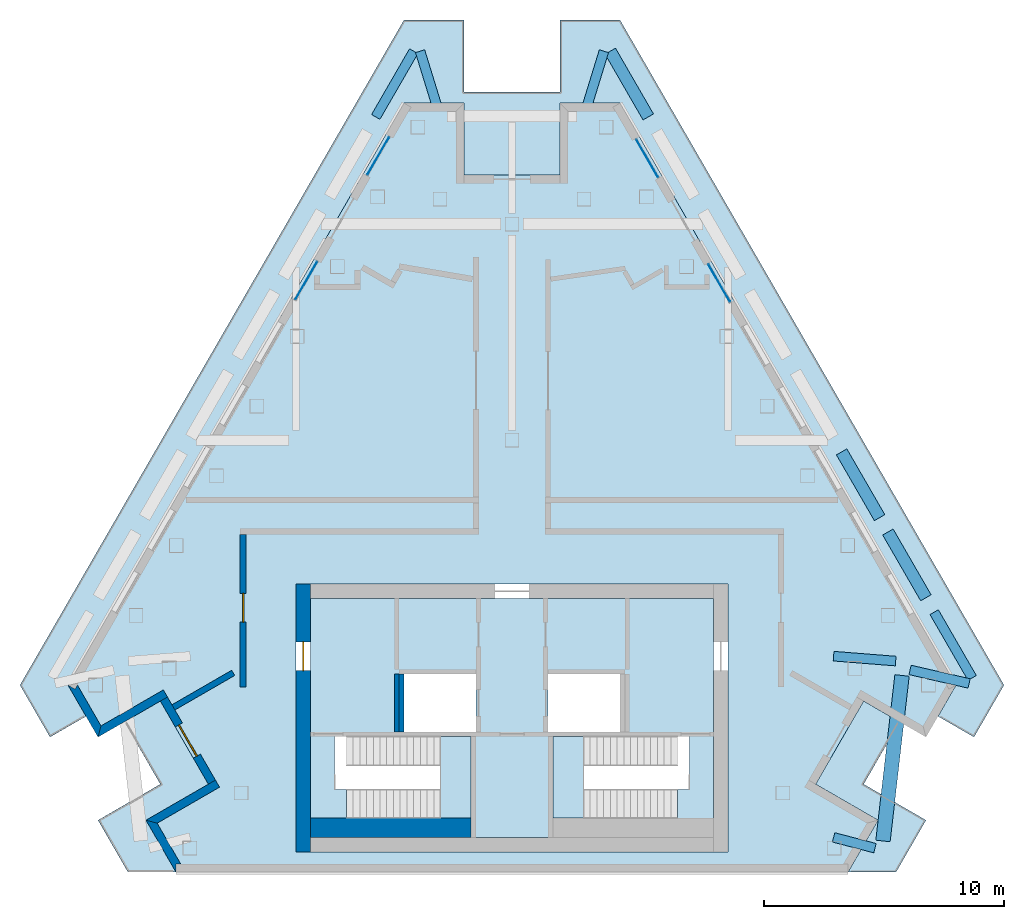
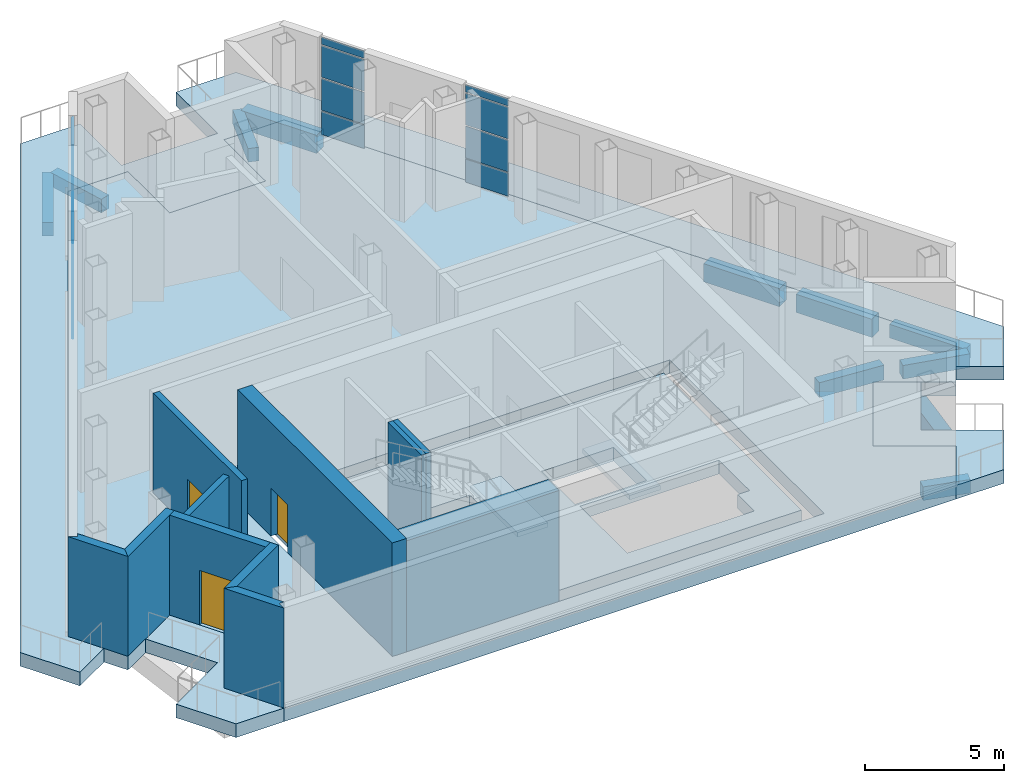
# One storey, part 3 of 7: 16 plates, 11 beams, 11 walls, 7 slabs, 3 doors, 3 openings, 6 elements without a shape of their own.
"""IFC4 building model written with IfcOpenShell, lengths in metres."""

from ifc_helpers import new_model, si_unit, direction, frame, frame_2d, origin, origin_2d, place, context, subcontext, project, spatial, polyline, rectangle, outline, extrude, material, layer, layer_set, material_profile, profile_set, type_object, element, fill, aggregate, save


model = new_model("IFC4")

# Units and contexts
model_context = context("Model", 3, precision=1e-05, world=origin(), true_north=direction((0.0, 1.0)))
body_context = subcontext(model_context, "Body", "Model", "MODEL_VIEW")
ifc_project = project(units=[si_unit("LENGTHUNIT", "METRE"), si_unit("AREAUNIT", "SQUARE_METRE"), si_unit("VOLUMEUNIT", "CUBIC_METRE"), si_unit("PLANEANGLEUNIT", "RADIAN"), si_unit("MASSUNIT", "GRAM", prefix="KILO")], contexts=[model_context])

# Site, building, storey
site_placement = place(None, origin())
site = spatial("IfcSite", under=ifc_project, at=site_placement, CompositionType="ELEMENT")
building_placement = place(site_placement, origin())
building = spatial("IfcBuilding", under=site, at=building_placement, Name="Fogline Exchange Tower", CompositionType="ELEMENT")
storey_placement = place(building_placement, frame((0.0, 0.0, 350.10009765625)))
storey = spatial("IfcBuildingStorey", under=building, at=storey_placement, Name="L79", CompositionType="ELEMENT", Elevation=350.10009765625)

# Beams
ifc_material_1 = material(Name="Concrete C40", Category="concrete")
ifc_material_profile_1 = material_profile(ifc_material_1, rectangle(XDim=0.60009765625, YDim=0.89990234375, at=origin_2d()), Name="RC 600x900")
ifc_profile_set_1 = profile_set([ifc_material_profile_1], Name="Concrete C40")
beam_type_1 = type_object("IfcBeamType", Name="B09", PredefinedType="BEAM", material=ifc_profile_set_1)
beam_1_placement = place(storey_placement, frame((15.457275390625, 1.300048828125, -1.050048828125), z_axis=(0.114387793062, 0.993436174497, 0.0), x_axis=(-0.993436174497, 0.114387793062, 0.0)))
element("IfcBeam", 1, at=beam_1_placement, inside=storey, type_object=beam_type_1, Name="RB005", PredefinedType="BEAM", context=body_context, shape_type="SweptSolid", body=[
    extrude(rectangle(XDim=0.60009765625, YDim=0.89990234375, at=origin_2d()), origin(), (0.0, 0.0, 1.0), 6.94091796875),
])
ifc_material_profile_2 = material_profile(ifc_material_1, rectangle(XDim=0.5, YDim=0.800048828125, at=origin_2d()), Name="RC 500x800")
ifc_profile_set_2 = profile_set([ifc_material_profile_2], Name="Concrete C40")
beam_type_2 = type_object("IfcBeamType", Name="B10", PredefinedType="BEAM", material=ifc_profile_set_2)
beam_2_placement = place(storey_placement, frame((17.244384765625, 11.433349609375, -1.0), z_axis=(-0.500040948879, 0.866001760647, 0.0), x_axis=(-0.866001760647, -0.500040948879, 0.0)))
element("IfcBeam", 2, at=beam_2_placement, inside=storey, type_object=beam_type_2, Name="RB008", PredefinedType="BEAM", context=body_context, shape_type="SweptSolid", body=[
    extrude(rectangle(XDim=0.5, YDim=0.800048828125, at=origin_2d()), origin(), (0.0, 0.0, 1.0), 3.162841796875),
])
for number, where, z_axis, x_axis, name in (
    (3, (15.31640625, 14.7724609375, -1.0), (-0.49998305571, 0.866035186354, 0.0), (-0.866035186354, -0.49998305571, 0.0), "RB009"),
    (4, (5.67724609375, 31.468017578125, -1.0), (-0.49998305571, 0.866035186354, 0.0), (-0.866035186354, -0.49998305571, 0.0), "RB014"),
):
    element("IfcBeam", number, at=place(storey_placement, frame(where, z_axis=z_axis, x_axis=x_axis)), inside=storey, type_object=beam_type_2, Name=name, PredefinedType="BEAM", context=body_context, shape_type="SweptSolid", body=[
        extrude(rectangle(XDim=0.5, YDim=0.800048828125, at=origin_2d()), origin(), (0.0, 0.0, 1.0), 3.16259765625),
    ])
ifc_material_profile_3 = material_profile(ifc_material_1, rectangle(XDim=0.39990234375, YDim=0.60009765625, at=origin_2d()), Name="RC 400x600")
ifc_profile_set_3 = profile_set([ifc_material_profile_3], Name="Concrete C40")
beam_type_3 = type_object("IfcBeamType", Name="B11", PredefinedType="BEAM", material=ifc_profile_set_3)
beam_3_placement = place(storey_placement, frame((13.39990234375, 1.449951171875, -0.900146484375), z_axis=(0.967548805755, -0.252684207029, 0.0), x_axis=(0.252684207029, 0.967548805755, 0.0)))
element("IfcBeam", 5, at=beam_3_placement, inside=storey, type_object=beam_type_3, Name="RB004", PredefinedType="BEAM", context=body_context, shape_type="SweptSolid", body=[
    extrude(rectangle(XDim=0.39990234375, YDim=0.60009765625, at=origin_2d()), origin(), (0.0, 0.0, 1.0), 1.78076171875),
])
beam_4_placement = place(storey_placement, frame((16.5859375, 8.426513671875, -0.900146484375), z_axis=(0.974745483976, -0.223318699327, 0.0), x_axis=(0.223318699327, 0.974745483976, 0.0)))
element("IfcBeam", 6, at=beam_4_placement, inside=storey, type_object=beam_type_3, Name="RB006", PredefinedType="BEAM", context=body_context, shape_type="SweptSolid", body=[
    extrude(rectangle(XDim=0.39990234375, YDim=0.60009765625, at=origin_2d()), origin(), (0.0, 0.0, 1.0), 2.523193359375),
])
beam_5_placement = place(storey_placement, frame((19.172119140625, 8.09423828125, -0.900146484375), z_axis=(-0.49998305571, 0.866035186354, 0.0), x_axis=(-0.866035186354, -0.49998305571, 0.0)))
element("IfcBeam", 7, at=beam_5_placement, inside=storey, type_object=beam_type_3, Name="RB007", PredefinedType="BEAM", context=body_context, shape_type="SweptSolid", body=[
    extrude(rectangle(XDim=0.39990234375, YDim=0.60009765625, at=origin_2d()), origin(), (0.0, 0.0, 1.0), 3.16259765625),
])
for number, where, z_axis, x_axis, name in (
    (8, (3.830322265625, 34.20703125, -0.900146484375), (-0.293915041219, -0.955831548206, 0.0), (0.955831548206, -0.293915041219, 0.0), "RB015"),
    (9, (-3.09228515625, 31.806884765625, -0.900146484375), (-0.293915041219, 0.955831548206, 0.0), (-0.955831548206, -0.293915041219, 0.0), "RB017"),
):
    element("IfcBeam", number, at=place(storey_placement, frame(where, z_axis=z_axis, x_axis=x_axis)), inside=storey, type_object=beam_type_3, Name=name, PredefinedType="BEAM", context=body_context, shape_type="SweptSolid", body=[
        extrude(rectangle(XDim=0.39990234375, YDim=0.60009765625, at=origin_2d()), origin(), (0.0, 0.0, 1.0), 2.510986328125),
    ])
beam_6_placement = place(storey_placement, frame((-4.095947265625, 34.20703125, -0.900146484375), z_axis=(-0.49998305571, -0.866035186354, 0.0), x_axis=(0.866035186354, -0.49998305571, 0.0)))
element("IfcBeam", 10, at=beam_6_placement, inside=storey, type_object=beam_type_3, Name="RB018", PredefinedType="BEAM", context=body_context, shape_type="SweptSolid", body=[
    extrude(rectangle(XDim=0.39990234375, YDim=0.60009765625, at=origin_2d()), origin(), (0.0, 0.0, 1.0), 3.16259765625),
])
ifc_material_profile_4 = material_profile(ifc_material_1, rectangle(XDim=0.39990234375, YDim=0.64990234375, at=origin_2d()), Name="RC 400x650")
ifc_profile_set_4 = profile_set([ifc_material_profile_4], Name="Concrete C40")
beam_type_4 = type_object("IfcBeamType", Name="B13", PredefinedType="BEAM", material=ifc_profile_set_4)
beam_7_placement = place(storey_placement, frame((13.39990234375, 9.0, -0.925048828125), z_axis=(0.996877516498, -0.078963390893, 0.0), x_axis=(0.078963390893, 0.996877516498, 0.0)))
element("IfcBeam", 11, at=beam_7_placement, inside=storey, type_object=beam_type_4, Name="GB002", PredefinedType="BEAM", context=body_context, shape_type="SweptSolid", body=[
    extrude(rectangle(XDim=0.39990234375, YDim=0.64990234375, at=origin_2d()), origin(), (0.0, 0.0, 1.0), 2.593994140625),
])

# Curtain wall, plates
ifc_material_2 = material(Name="Aluminium and glass", Category="aluminium")
curtain_wall_type = type_object("IfcCurtainWallType", Name="CW6", PredefinedType="NOTDEFINED", material=ifc_material_2)
curtain_wall_1_placement = place(storey_placement, origin())
curtain_wall_1 = element("IfcCurtainWall", 12, at=curtain_wall_1_placement, inside=storey, type_object=curtain_wall_type, Name="CW6 L79 E run 1", PredefinedType="NOTDEFINED")
ifc_material_3 = material(Name="Glass", Category="glass")
ifc_layer_1 = layer(ifc_material_3, 0.02587890625)
ifc_layer_set_1 = layer_set([ifc_layer_1], Name="CW6-P")
plate_type = type_object("IfcPlateType", Name="CW6-P", PredefinedType="CURTAIN_PANEL", material=ifc_layer_set_1)
plate_1_placement = place(storey_placement, frame((8.631591796875, 24.546875, 0.054931640625), z_axis=(0.0, 0.0, 1.0), x_axis=(-0.499999514416, 0.866025684137, 0.0)))
plate_1 = element("IfcPlate", 13, at=plate_1_placement, type_object=plate_type, Name="CW6-L79-01 panel 1.1", PredefinedType="CURTAIN_PANEL", context=body_context, shape_type="SweptSolid", body=[
    extrude(rectangle(XDim=1.784912109375, YDim=0.02587890625, at=origin_2d()), origin(), (0.0, 0.0, 1.0), 1.017578125),
])
plate_2_placement = place(storey_placement, frame((8.631591796875, 24.546875, 1.12744140625), z_axis=(0.0, 0.0, 1.0), x_axis=(-0.499999514416, 0.866025684137, 0.0)))
plate_2 = element("IfcPlate", 14, at=plate_2_placement, type_object=plate_type, Name="CW6-L79-01 panel 1.2", PredefinedType="CURTAIN_PANEL", context=body_context, shape_type="SweptSolid", body=[
    extrude(rectangle(XDim=1.784912109375, YDim=0.02587890625, at=origin_2d()), origin(), (0.0, 0.0, 1.0), 1.39501953125),
])
plate_3_placement = place(storey_placement, frame((8.631591796875, 24.546875, 2.577392578125), z_axis=(0.0, 0.0, 1.0), x_axis=(-0.499999514416, 0.866025684137, 0.0)))
plate_3 = element("IfcPlate", 15, at=plate_3_placement, type_object=plate_type, Name="CW6-L79-01 panel 1.3", PredefinedType="CURTAIN_PANEL", context=body_context, shape_type="SweptSolid", body=[
    extrude(rectangle(XDim=1.784912109375, YDim=0.02587890625, at=origin_2d()), origin(), (0.0, 0.0, 1.0), 1.39501953125),
])
plate_4_placement = place(storey_placement, frame((8.631591796875, 24.546875, 4.02734375), z_axis=(0.0, 0.0, 1.0), x_axis=(-0.499999514416, 0.866025684137, 0.0)))
plate_4 = element("IfcPlate", 16, at=plate_4_placement, type_object=plate_type, Name="CW6-L79-01 panel 1.4", PredefinedType="CURTAIN_PANEL", context=body_context, shape_type="SweptSolid", body=[
    extrude(rectangle(XDim=1.784912109375, YDim=0.02587890625, at=origin_2d()), origin(), (0.0, 0.0, 1.0), 0.3173828125),
])
aggregate(curtain_wall_1, [plate_1, plate_2, plate_3, plate_4])

curtain_wall_2_placement = place(storey_placement, origin())
curtain_wall_2 = element("IfcCurtainWall", 17, at=curtain_wall_2_placement, inside=storey, type_object=curtain_wall_type, Name="CW6 L79 E run 2", PredefinedType="NOTDEFINED")
plate_5_placement = place(storey_placement, frame((5.631591796875, 29.7431640625, 0.054931640625), z_axis=(0.0, 0.0, 1.0), x_axis=(-0.499999514416, 0.866025684137, 0.0)))
plate_5 = element("IfcPlate", 18, at=plate_5_placement, type_object=plate_type, Name="CW6-L79-02 panel 1.1", PredefinedType="CURTAIN_PANEL", context=body_context, shape_type="SweptSolid", body=[
    extrude(rectangle(XDim=1.784912109375, YDim=0.02587890625, at=origin_2d()), origin(), (0.0, 0.0, 1.0), 1.017578125),
])
plate_6_placement = place(storey_placement, frame((5.631591796875, 29.7431640625, 1.12744140625), z_axis=(0.0, 0.0, 1.0), x_axis=(-0.499999514416, 0.866025684137, 0.0)))
plate_6 = element("IfcPlate", 19, at=plate_6_placement, type_object=plate_type, Name="CW6-L79-02 panel 1.2", PredefinedType="CURTAIN_PANEL", context=body_context, shape_type="SweptSolid", body=[
    extrude(rectangle(XDim=1.784912109375, YDim=0.02587890625, at=origin_2d()), origin(), (0.0, 0.0, 1.0), 1.39501953125),
])
plate_7_placement = place(storey_placement, frame((5.631591796875, 29.7431640625, 2.577392578125), z_axis=(0.0, 0.0, 1.0), x_axis=(-0.499999514416, 0.866025684137, 0.0)))
plate_7 = element("IfcPlate", 20, at=plate_7_placement, type_object=plate_type, Name="CW6-L79-02 panel 1.3", PredefinedType="CURTAIN_PANEL", context=body_context, shape_type="SweptSolid", body=[
    extrude(rectangle(XDim=1.784912109375, YDim=0.02587890625, at=origin_2d()), origin(), (0.0, 0.0, 1.0), 1.39501953125),
])
plate_8_placement = place(storey_placement, frame((5.631591796875, 29.7431640625, 4.02734375), z_axis=(0.0, 0.0, 1.0), x_axis=(-0.499999514416, 0.866025684137, 0.0)))
plate_8 = element("IfcPlate", 21, at=plate_8_placement, type_object=plate_type, Name="CW6-L79-02 panel 1.4", PredefinedType="CURTAIN_PANEL", context=body_context, shape_type="SweptSolid", body=[
    extrude(rectangle(XDim=1.784912109375, YDim=0.02587890625, at=origin_2d()), origin(), (0.0, 0.0, 1.0), 0.3173828125),
])
aggregate(curtain_wall_2, [plate_5, plate_6, plate_7, plate_8])

curtain_wall_3_placement = place(storey_placement, origin())
curtain_wall_3 = element("IfcCurtainWall", 22, at=curtain_wall_3_placement, inside=storey, type_object=curtain_wall_type, Name="CW6 L79 W run 1", PredefinedType="NOTDEFINED")
plate_9_placement = place(storey_placement, frame((-5.573974609375, 29.8427734375, 0.054931640625), z_axis=(0.0, 0.0, 1.0), x_axis=(-0.499999514416, -0.866025684137, 0.0)))
plate_9 = element("IfcPlate", 23, at=plate_9_placement, type_object=plate_type, Name="CW6-L79-03 panel 1.1", PredefinedType="CURTAIN_PANEL", context=body_context, shape_type="SweptSolid", body=[
    extrude(rectangle(XDim=1.784912109375, YDim=0.02587890625, at=origin_2d()), origin(), (0.0, 0.0, 1.0), 1.017578125),
])
plate_10_placement = place(storey_placement, frame((-5.573974609375, 29.8427734375, 1.12744140625), z_axis=(0.0, 0.0, 1.0), x_axis=(-0.499999514416, -0.866025684137, 0.0)))
plate_10 = element("IfcPlate", 24, at=plate_10_placement, type_object=plate_type, Name="CW6-L79-03 panel 1.2", PredefinedType="CURTAIN_PANEL", context=body_context, shape_type="SweptSolid", body=[
    extrude(rectangle(XDim=1.784912109375, YDim=0.02587890625, at=origin_2d()), origin(), (0.0, 0.0, 1.0), 1.39501953125),
])
plate_11_placement = place(storey_placement, frame((-5.573974609375, 29.8427734375, 2.577392578125), z_axis=(0.0, 0.0, 1.0), x_axis=(-0.499999514416, -0.866025684137, 0.0)))
plate_11 = element("IfcPlate", 25, at=plate_11_placement, type_object=plate_type, Name="CW6-L79-03 panel 1.3", PredefinedType="CURTAIN_PANEL", context=body_context, shape_type="SweptSolid", body=[
    extrude(rectangle(XDim=1.784912109375, YDim=0.02587890625, at=origin_2d()), origin(), (0.0, 0.0, 1.0), 1.39501953125),
])
plate_12_placement = place(storey_placement, frame((-5.573974609375, 29.8427734375, 4.02734375), z_axis=(0.0, 0.0, 1.0), x_axis=(-0.499999514416, -0.866025684137, 0.0)))
plate_12 = element("IfcPlate", 26, at=plate_12_placement, type_object=plate_type, Name="CW6-L79-03 panel 1.4", PredefinedType="CURTAIN_PANEL", context=body_context, shape_type="SweptSolid", body=[
    extrude(rectangle(XDim=1.784912109375, YDim=0.02587890625, at=origin_2d()), origin(), (0.0, 0.0, 1.0), 0.3173828125),
])
aggregate(curtain_wall_3, [plate_9, plate_10, plate_11, plate_12])

curtain_wall_4_placement = place(storey_placement, origin())
curtain_wall_4 = element("IfcCurtainWall", 27, at=curtain_wall_4_placement, inside=storey, type_object=curtain_wall_type, Name="CW6 L79 W run 2", PredefinedType="NOTDEFINED")
plate_13_placement = place(storey_placement, frame((-8.573974609375, 24.646484375, 0.054931640625), z_axis=(0.0, 0.0, 1.0), x_axis=(-0.499999514416, -0.866025684137, 0.0)))
plate_13 = element("IfcPlate", 28, at=plate_13_placement, type_object=plate_type, Name="CW6-L79-04 panel 1.1", PredefinedType="CURTAIN_PANEL", context=body_context, shape_type="SweptSolid", body=[
    extrude(rectangle(XDim=1.784912109375, YDim=0.02587890625, at=origin_2d()), origin(), (0.0, 0.0, 1.0), 1.017578125),
])
plate_14_placement = place(storey_placement, frame((-8.573974609375, 24.646484375, 1.12744140625), z_axis=(0.0, 0.0, 1.0), x_axis=(-0.499999514416, -0.866025684137, 0.0)))
plate_14 = element("IfcPlate", 29, at=plate_14_placement, type_object=plate_type, Name="CW6-L79-04 panel 1.2", PredefinedType="CURTAIN_PANEL", context=body_context, shape_type="SweptSolid", body=[
    extrude(rectangle(XDim=1.784912109375, YDim=0.02587890625, at=origin_2d()), origin(), (0.0, 0.0, 1.0), 1.39501953125),
])
plate_15_placement = place(storey_placement, frame((-8.573974609375, 24.646484375, 2.577392578125), z_axis=(0.0, 0.0, 1.0), x_axis=(-0.499999514416, -0.866025684137, 0.0)))
plate_15 = element("IfcPlate", 30, at=plate_15_placement, type_object=plate_type, Name="CW6-L79-04 panel 1.3", PredefinedType="CURTAIN_PANEL", context=body_context, shape_type="SweptSolid", body=[
    extrude(rectangle(XDim=1.784912109375, YDim=0.02587890625, at=origin_2d()), origin(), (0.0, 0.0, 1.0), 1.39501953125),
])
plate_16_placement = place(storey_placement, frame((-8.573974609375, 24.646484375, 4.02734375), z_axis=(0.0, 0.0, 1.0), x_axis=(-0.499999514416, -0.866025684137, 0.0)))
plate_16 = element("IfcPlate", 31, at=plate_16_placement, type_object=plate_type, Name="CW6-L79-04 panel 1.4", PredefinedType="CURTAIN_PANEL", context=body_context, shape_type="SweptSolid", body=[
    extrude(rectangle(XDim=1.784912109375, YDim=0.02587890625, at=origin_2d()), origin(), (0.0, 0.0, 1.0), 0.3173828125),
])
aggregate(curtain_wall_4, [plate_13, plate_14, plate_15, plate_16])

# Slabs
ifc_layer_2 = layer(ifc_material_1, 0.60009765625)
ifc_layer_set_2 = layer_set([ifc_layer_2], Name="S09")
slab_type_1 = type_object("IfcSlabType", Name="S09", PredefinedType="FLOOR", material=ifc_layer_set_2)
slab_1_placement = place(storey_placement, frame((0.0, 0.0, -0.60009765625)))
element("IfcSlab", 32, at=slab_1_placement, inside=storey, type_object=slab_type_1, Name="TRANSFER SLAB L79", PredefinedType="FLOOR", context=body_context, shape_type="SweptSolid", body=[
    extrude(outline(polyline([(-4.5, 32.04296875), (-18.5, 7.794189453125), (-17.25, 5.629150390625), (-14.65185546875, 7.129150390625), (-12.65185546875, 3.6650390625), (-15.25, 2.1650390625), (-14.0, 0.0), (14.0, 0.0), (15.25, 2.1650390625), (12.65185546875, 3.6650390625), (14.65185546875, 7.129150390625), (17.25, 5.629150390625), (18.5, 7.794189453125), (4.5, 32.04296875), (2.0, 32.04296875), (2.0, 29.04296875), (-2.0, 29.04296875), (-2.0, 32.04296875), (-4.5, 32.04296875)]), holes=[polyline([(9.0, 0.85009765625), (-9.0, 0.85009765625), (-9.0, 12.0), (9.0, 12.0), (9.0, 0.85009765625)])]), origin(), (0.0, 0.0, 1.0), 0.60009765625),
])
slab_2_placement = place(storey_placement, frame((0.0, 0.0, -0.60009765625)))
element("IfcSlab", 33, at=slab_2_placement, inside=storey, type_object=slab_type_1, Name="Core floor slab", PredefinedType="FLOOR", context=body_context, shape_type="SweptSolid", body=[
    extrude(outline(polyline([(-8.39990234375, 11.39990234375), (8.39990234375, 11.39990234375), (8.39990234375, 1.449951171875), (-8.39990234375, 1.449951171875), (-8.39990234375, 11.39990234375)]), holes=[polyline([(-7.389892578125, 5.64990234375), (-7.389892578125, 3.449951171875), (-6.889892578125, 3.449951171875), (-6.889892578125, 2.25), (-1.60009765625, 2.25), (-1.60009765625, 5.64990234375), (-7.389892578125, 5.64990234375)]), polyline([(1.60009765625, 5.64990234375), (1.60009765625, 2.25), (6.889892578125, 2.25), (6.889892578125, 3.449951171875), (7.389892578125, 3.449951171875), (7.389892578125, 5.64990234375), (1.60009765625, 5.64990234375)]), polyline([(-4.5, 8.25), (-4.5, 5.85009765625), (-1.5, 5.85009765625), (-1.5, 8.25), (-4.5, 8.25)]), polyline([(1.5, 8.25), (1.5, 5.85009765625), (4.5, 5.85009765625), (4.5, 8.25), (1.5, 8.25)])]), origin(), (0.0, 0.0, 1.0), 0.60009765625),
])
ifc_layer_3 = layer(ifc_material_1, 0.60009765625)
ifc_layer_set_3 = layer_set([ifc_layer_3], Name="S10")
slab_type_2 = type_object("IfcSlabType", Name="S10", PredefinedType="FLOOR", material=ifc_layer_set_3)
slab_3_placement = place(storey_placement, frame((0.0, 0.0, -0.60009765625)))
element("IfcSlab", 34, at=slab_3_placement, inside=storey, type_object=slab_type_2, Name="SLAB L79 TERRACE", PredefinedType="FLOOR", context=body_context, shape_type="SweptSolid", body=[
    extrude(outline(polyline([(-19.25, 5.629150390625), (-17.75, 6.4951171875), (-18.5, 7.794189453125), (-4.5, 32.04296875), (-2.0, 32.04296875), (-2.0, 29.04296875), (2.0, 29.04296875), (2.0, 32.04296875), (4.5, 32.04296875), (18.5, 7.794189453125), (17.75, 6.4951171875), (19.25, 5.629150390625), (20.5, 7.794189453125), (4.5, 35.507080078125), (2.0, 35.507080078125), (2.0, 32.507080078125), (-2.0, 32.507080078125), (-2.0, 35.507080078125), (-4.5, 35.507080078125), (-20.5, 7.794189453125), (-19.25, 5.629150390625)])), origin(), (0.0, 0.0, 1.0), 0.60009765625),
])
slab_4_placement = place(storey_placement, frame((0.0, 0.0, -0.60009765625)))
element("IfcSlab", 35, at=slab_4_placement, inside=storey, type_object=slab_type_2, Name="SLAB L79 TERRACE", PredefinedType="FLOOR", context=body_context, shape_type="SweptSolid", body=[
    extrude(outline(polyline([(14.65185546875, 3.6650390625), (16.15185546875, 6.26318359375), (14.65185546875, 7.129150390625), (12.65185546875, 3.6650390625), (15.25, 2.1650390625), (14.0, 0.0), (16.0, 0.0), (17.25, 2.1650390625), (14.65185546875, 3.6650390625)])), origin(), (0.0, 0.0, 1.0), 0.60009765625),
])
slab_5_placement = place(storey_placement, frame((0.0, 0.0, -0.60009765625)))
element("IfcSlab", 36, at=slab_5_placement, inside=storey, type_object=slab_type_2, Name="SLAB L79 TERRACE", PredefinedType="FLOOR", context=body_context, shape_type="SweptSolid", body=[
    extrude(outline(polyline([(-16.0, 0.0), (-14.0, 0.0), (-15.25, 2.1650390625), (-12.65185546875, 3.6650390625), (-14.65185546875, 7.129150390625), (-16.15185546875, 6.26318359375), (-14.65185546875, 3.6650390625), (-17.25, 2.1650390625), (-16.0, 0.0)])), origin(), (0.0, 0.0, 1.0), 0.60009765625),
])

# Stair, slab
stair_type = type_object("IfcStairType", Name="STR30-1667W1200", PredefinedType="HALF_TURN_STAIR", material=ifc_material_1)
stair_1_placement = place(storey_placement, origin())
stair_1 = element("IfcStair", 37, at=stair_1_placement, inside=storey, type_object=stair_type, Name="Stair CS1", PredefinedType="HALF_TURN_STAIR")
ifc_layer_4 = layer(ifc_material_1, 0.199951171875)
ifc_layer_set_4 = layer_set([ifc_layer_4], Name="SL200")
slab_type_3 = type_object("IfcSlabType", Name="SL200", PredefinedType="LANDING", material=ifc_layer_set_4)
slab_6_placement = place(storey_placement, frame((0.0, 0.0, 2.2998046875)))
slab_6 = element("IfcSlab", 38, at=slab_6_placement, type_object=slab_type_3, Name="CS1 landing 1", PredefinedType="LANDING", context=body_context, shape_type="SweptSolid", body=[
    extrude(outline(polyline([(-2.97998046875, 2.25), (-1.699951171875, 2.25), (-1.699951171875, 5.64990234375), (-2.97998046875, 5.64990234375), (-2.97998046875, 2.25)])), origin(), (0.0, 0.0, 1.0), 0.2001953125),
])
aggregate(stair_1, [slab_6])

stair_2_placement = place(storey_placement, origin())
stair_2 = element("IfcStair", 39, at=stair_2_placement, inside=storey, type_object=stair_type, Name="Stair CS2", PredefinedType="HALF_TURN_STAIR")
slab_7_placement = place(storey_placement, frame((0.0, 0.0, 2.2998046875)))
slab_7 = element("IfcSlab", 40, at=slab_7_placement, type_object=slab_type_3, Name="CS2 landing 1", PredefinedType="LANDING", context=body_context, shape_type="SweptSolid", body=[
    extrude(outline(polyline([(1.699951171875, 2.25), (2.97998046875, 2.25), (2.97998046875, 5.64990234375), (1.699951171875, 5.64990234375), (1.699951171875, 2.25)])), origin(), (0.0, 0.0, 1.0), 0.2001953125),
])
aggregate(stair_2, [slab_7])

# Walls
ifc_layer_5 = layer(ifc_material_1, 0.199951171875)
ifc_layer_set_5 = layer_set([ifc_layer_5], Name="CW20")
wall_type_1 = type_object("IfcWallType", Name="CW20", PredefinedType="SOLIDWALL", material=ifc_layer_set_5)
for number, where, z_axis, x_axis, name in (
    (41, (-4.60009765625, 5.85009765625, 0.0), (0.0, 0.0, 1.0), (0.0, 1.0, 0.0), "Lift shaft wall"),
    (42, (-4.800048828125, 5.85009765625, 0.0), (0.0, 0.0, 1.0), (0.0, 1.0, 0.0), "Room wall"),
):
    element("IfcWall", number, at=place(storey_placement, frame(where, z_axis=z_axis, x_axis=x_axis)), inside=storey, type_object=wall_type_1, Name=name, PredefinedType="SOLIDWALL", context=body_context, shape_type="SweptSolid", body=[
        extrude(rectangle(XDim=2.39990234375, YDim=0.199951171875, at=frame_2d((1.199951171875, 0.0))), origin(), (0.0, 0.0, 1.0), 4.39990234375),
    ])
ifc_layer_6 = layer(ifc_material_1, 0.800048828125)
ifc_layer_set_6 = layer_set([ifc_layer_6], Name="CW80R")
wall_type_2 = type_object("IfcWallType", Name="CW80R", PredefinedType="SOLIDWALL", material=ifc_layer_set_6)
wall_1_placement = place(storey_placement, frame((-8.39990234375, 1.85009765625, -0.60009765625), z_axis=(0.0, 0.0, 1.0), x_axis=(1.0, 0.0, 0.0)))
element("IfcWall", 43, at=wall_1_placement, inside=storey, type_object=wall_type_2, Name="Stair enclosure wall", PredefinedType="SOLIDWALL", context=body_context, shape_type="SweptSolid", body=[
    extrude(rectangle(XDim=6.699951171875, YDim=0.800048828125, at=frame_2d((3.35009765625, 0.0))), origin(), (0.0, 0.0, 1.0), 5.0),
])
ifc_material_4 = material(Name="Brick masonry", Category="masonry")
ifc_layer_7 = layer(ifc_material_4, 0.340087890625)
ifc_layer_set_7 = layer_set([ifc_layer_7], Name="FW1")
wall_type_3 = type_object("IfcWallType", Name="FW1", PredefinedType="SOLIDWALL", material=ifc_layer_set_7)
wall_2_placement = place(storey_placement, origin())
element("IfcWall", 44, at=wall_2_placement, inside=storey, type_object=wall_type_3, Name="Brick wall L79 SW-c1", PredefinedType="SOLIDWALL", context=body_context, shape_type="SweptSolid", body=[
    extrude(outline(polyline([(-17.25, 5.6279296875), (-18.5009765625, 7.794921875), (-18.500732421875, 7.79541015625), (-18.205810546875, 7.625), (-18.107421875, 7.79541015625), (-17.125, 6.09375), (-17.249755859375, 5.6279296875), (-17.25, 5.6279296875)])), origin(), (0.0, 0.0, 1.0), 4.39990234375),
])
wall_3_placement = place(storey_placement, origin())
element("IfcWall", 45, at=wall_3_placement, inside=storey, type_object=wall_type_3, Name="Brick wall L79 SW-s1", PredefinedType="SOLIDWALL", context=body_context, shape_type="SweptSolid", body=[
    extrude(outline(polyline([(-14.52734375, 7.594482421875), (-14.356689453125, 7.298828125), (-14.651611328125, 7.128662109375), (-17.25048828125, 5.628173828125), (-17.250732421875, 5.62841796875), (-17.1259765625, 6.093994140625), (-14.52734375, 7.594482421875)])), origin(), (0.0, 0.0, 1.0), 4.39990234375),
])

# Wall, opening, door
wall_4_placement = place(storey_placement, frame((-14.504638671875, 7.214111328125, 0.0), z_axis=(0.0, 0.0, 1.0), x_axis=(0.49999894854, -0.866026010844, 0.0)))
wall_4 = element("IfcWall", 46, at=wall_4_placement, inside=storey, type_object=wall_type_3, Name="Brick wall L79 SW-bk", PredefinedType="SOLIDWALL", context=body_context, shape_type="SweptSolid", body=[
    extrude(rectangle(XDim=4.0, YDim=0.340087890625, at=frame_2d((2.0, 0.0))), origin(), (0.0, 0.0, 1.0), 4.39990234375),
])
opening_1_placement = place(wall_4_placement, frame((1.25, 0.0, 0.0)))
opening_1 = element("IfcOpeningElement", 47, at=opening_1_placement, cuts=wall_4, Name="Opening L79-E021", PredefinedType="OPENING", context=body_context, shape_type="SweptSolid", body=[
    extrude(rectangle(XDim=1.5, YDim=2.39990234375, at=frame_2d((0.75, 1.199951171875))), frame((0.0, 0.18017578125, 0.0), z_axis=(0.0, -1.0, 0.0), x_axis=(1.0, 0.0, 0.0)), (0.0, 0.0, 1.0), 0.360107421875),
])
door_type_1 = type_object("IfcDoorType", Name="ED4", OperationType="SINGLE_SWING_LEFT", PredefinedType="DOOR", material=ifc_material_2)
door_1_placement = place(opening_1_placement, frame((1.5, 0.0, 0.0), z_axis=(0.0, 0.0, 1.0), x_axis=(-1.0, 0.0, 0.0)))
door_1 = element("IfcDoor", 48, at=door_1_placement, inside=storey, type_object=door_type_1, Name="Balcony door L79 SW", OperationType="DOUBLE_DOOR_SINGLE_SWING", OverallHeight=2.39990234375, OverallWidth=1.5, PredefinedType="DOOR", context=body_context, shape_type="SweptSolid", body=[
    extrude(rectangle(XDim=1.5, YDim=2.39990234375, at=frame_2d((0.75, 1.199951171875))), frame((0.0, 0.02490234375, 0.0), z_axis=(0.0, -1.0, 0.0), x_axis=(1.0, 0.0, 0.0)), (0.0, 0.0, 1.0), 0.050048828125),
])
fill(opening_1, door_1)

# Walls
wall_5_placement = place(storey_placement, origin())
element("IfcWall", 49, at=wall_5_placement, inside=storey, type_object=wall_type_3, Name="Brick wall L79 SW-s2", PredefinedType="SOLIDWALL", context=body_context, shape_type="SweptSolid", body=[
    extrude(outline(polyline([(-15.251220703125, 2.1650390625), (-12.652099609375, 3.66552734375), (-12.357177734375, 3.8359375), (-12.186767578125, 3.540283203125), (-14.785400390625, 2.0400390625), (-15.251220703125, 2.164794921875), (-15.251220703125, 2.1650390625)])), origin(), (0.0, 0.0, 1.0), 4.39990234375),
])
wall_6_placement = place(storey_placement, origin())
element("IfcWall", 50, at=wall_6_placement, inside=storey, type_object=wall_type_3, Name="Brick wall L79 SW-c2", PredefinedType="SOLIDWALL", context=body_context, shape_type="SweptSolid", body=[
    extrude(outline(polyline([(-13.802734375, 0.33935546875), (-13.99951171875, 0.33935546875), (-13.99951171875, -0.0009765625), (-14.0, -0.001220703125), (-15.2509765625, 2.165771484375), (-15.2509765625, 2.166015625), (-14.78515625, 2.041015625), (-13.802734375, 0.33935546875)])), origin(), (0.0, 0.0, 1.0), 4.39990234375),
])

# Wall, opening, door
ifc_layer_8 = layer(ifc_material_1, 0.25)
ifc_layer_set_8 = layer_set([ifc_layer_8], Name="PP3")
wall_type_4 = type_object("IfcWallType", Name="PP3", PredefinedType="SOLIDWALL", material=ifc_layer_set_8)
wall_7_placement = place(storey_placement, frame((-11.199951171875, 7.705322265625, 0.0), z_axis=(0.0, 0.0, 1.0), x_axis=(0.0, 1.0, 0.0)))
wall_7 = element("IfcWall", 51, at=wall_7_placement, inside=storey, type_object=wall_type_4, Name="PP3 partition", PredefinedType="SOLIDWALL", context=body_context, shape_type="SweptSolid", body=[
    extrude(rectangle(XDim=6.36962890625, YDim=0.25, at=frame_2d((3.184814453125, 0.0))), origin(), (0.0, 0.0, 1.0), 4.39990234375),
])
opening_2_placement = place(wall_7_placement, frame((2.7099609375, 0.0, 0.0)))
opening_2 = element("IfcOpeningElement", 52, at=opening_2_placement, cuts=wall_7, Name="Opening L79-D001", PredefinedType="OPENING", context=body_context, shape_type="SweptSolid", body=[
    extrude(rectangle(XDim=1.199951171875, YDim=2.10009765625, at=frame_2d((0.60009765625, 1.050048828125))), frame((0.0, 0.135009765625, 0.0), z_axis=(0.0, -1.0, 0.0), x_axis=(1.0, 0.0, 0.0)), (0.0, 0.0, 1.0), 0.27001953125),
])
ifc_material_5 = material(Name="Steel Q235B", Category="steel")
door_type_2 = type_object("IfcDoorType", Name="PD7", OperationType="SINGLE_SWING_LEFT", PredefinedType="DOOR", material=ifc_material_5)
door_2_placement = place(opening_2_placement, origin())
door_2 = element("IfcDoor", 53, at=door_2_placement, inside=storey, type_object=door_type_2, Name="L79-D001", OperationType="SINGLE_SWING_RIGHT", OverallHeight=2.10009765625, OverallWidth=1.199951171875, PredefinedType="DOOR", context=body_context, shape_type="SweptSolid", body=[
    extrude(rectangle(XDim=1.199951171875, YDim=2.10009765625, at=frame_2d((0.60009765625, 1.050048828125))), frame((0.0, 0.02490234375, 0.0), z_axis=(0.0, -1.0, 0.0), x_axis=(1.0, 0.0, 0.0)), (0.0, 0.0, 1.0), 0.050048828125),
])
fill(opening_2, door_2)

# Wall
wall_8_placement = place(storey_placement, frame((-14.107421875, 6.8662109375, 0.0), z_axis=(0.0, 0.0, 1.0), x_axis=(0.866018712932, 0.500011588718, 0.0)))
element("IfcWall", 54, at=wall_8_placement, inside=storey, type_object=wall_type_4, Name="PP3 partition", PredefinedType="SOLIDWALL", context=body_context, shape_type="SweptSolid", body=[
    extrude(rectangle(XDim=2.875, YDim=0.25, at=frame_2d((1.4375, 0.0))), origin(), (0.0, 0.0, 1.0), 4.39990234375),
])

# Wall, opening, door
ifc_material_6 = material(Name="Concrete C50", Category="concrete")
ifc_layer_9 = layer(ifc_material_6, 0.60009765625)
ifc_layer_set_9 = layer_set([ifc_layer_9], Name="SW05")
wall_type_5 = type_object("IfcWallType", Name="SW05", PredefinedType="SHEAR", material=ifc_layer_set_9)
wall_9_placement = place(storey_placement, frame((-8.699951171875, 12.0, 0.0), z_axis=(0.0, 0.0, 1.0), x_axis=(0.0, -1.0, 0.0)))
wall_9 = element("IfcWall", 55, at=wall_9_placement, inside=storey, type_object=wall_type_5, Name="L79-W904", PredefinedType="SHEAR", context=body_context, shape_type="SweptSolid", body=[
    extrude(rectangle(XDim=11.14990234375, YDim=0.60009765625, at=frame_2d((5.574951171875, 0.0))), origin(), (0.0, 0.0, 1.0), 5.0),
])
opening_3_placement = place(wall_9_placement, frame((2.39990234375, 0.0, 0.0)))
opening_3 = element("IfcOpeningElement", 56, at=opening_3_placement, cuts=wall_9, Name="Opening L79-C002", PredefinedType="OPENING", context=body_context, shape_type="SweptSolid", body=[
    extrude(rectangle(XDim=1.199951171875, YDim=2.10009765625, at=frame_2d((0.60009765625, 1.050048828125))), frame((0.0, 0.31005859375, 0.0), z_axis=(0.0, -1.0, 0.0), x_axis=(1.0, 0.0, 0.0)), (0.0, 0.0, 1.0), 0.6201171875),
])
ifc_material_7 = material(Name="Steel and timber fire door", Category="steel")
door_type_3 = type_object("IfcDoorType", Name="D-SV1", OperationType="SINGLE_SWING_LEFT", PredefinedType="DOOR", material=ifc_material_7)
door_3_placement = place(opening_3_placement, origin())
door_3 = element("IfcDoor", 57, at=door_3_placement, inside=storey, type_object=door_type_3, Name="Service door W", OperationType="SINGLE_SWING_LEFT", OverallHeight=2.10009765625, OverallWidth=1.199951171875, PredefinedType="DOOR", context=body_context, shape_type="SweptSolid", body=[
    extrude(rectangle(XDim=1.199951171875, YDim=2.10009765625, at=frame_2d((0.60009765625, 1.050048828125))), frame((0.0, 0.02490234375, 0.0), z_axis=(0.0, -1.0, 0.0), x_axis=(1.0, 0.0, 0.0)), (0.0, 0.0, 1.0), 0.050048828125),
])
fill(opening_3, door_3)

save(model, "model.ifc")
